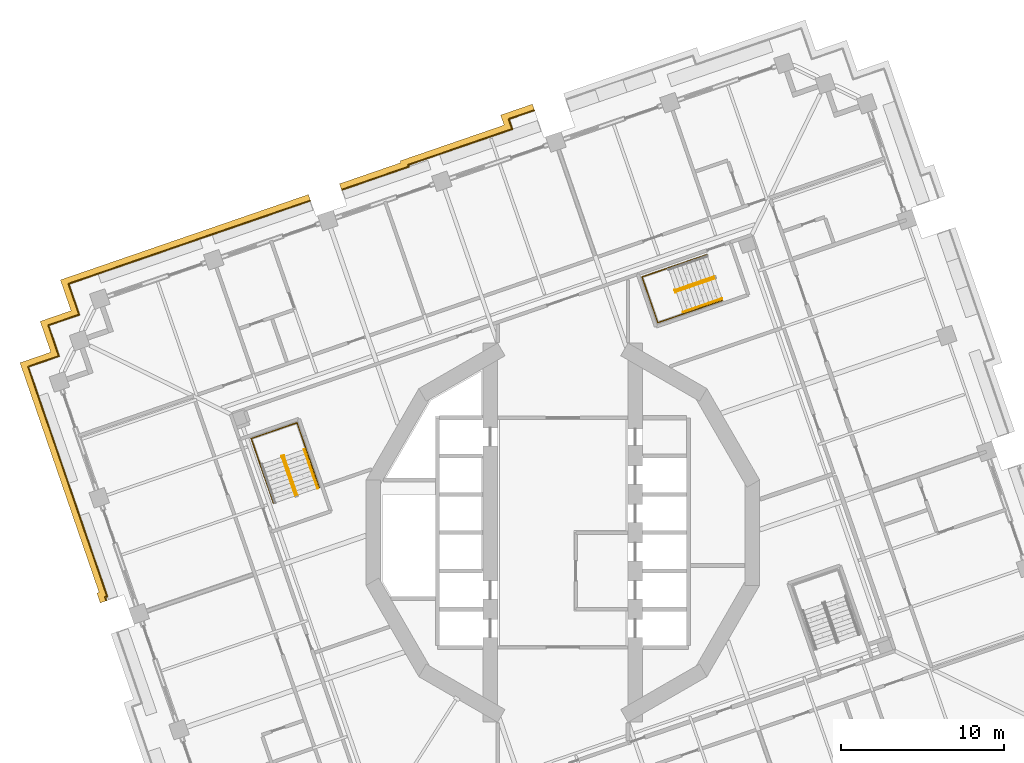
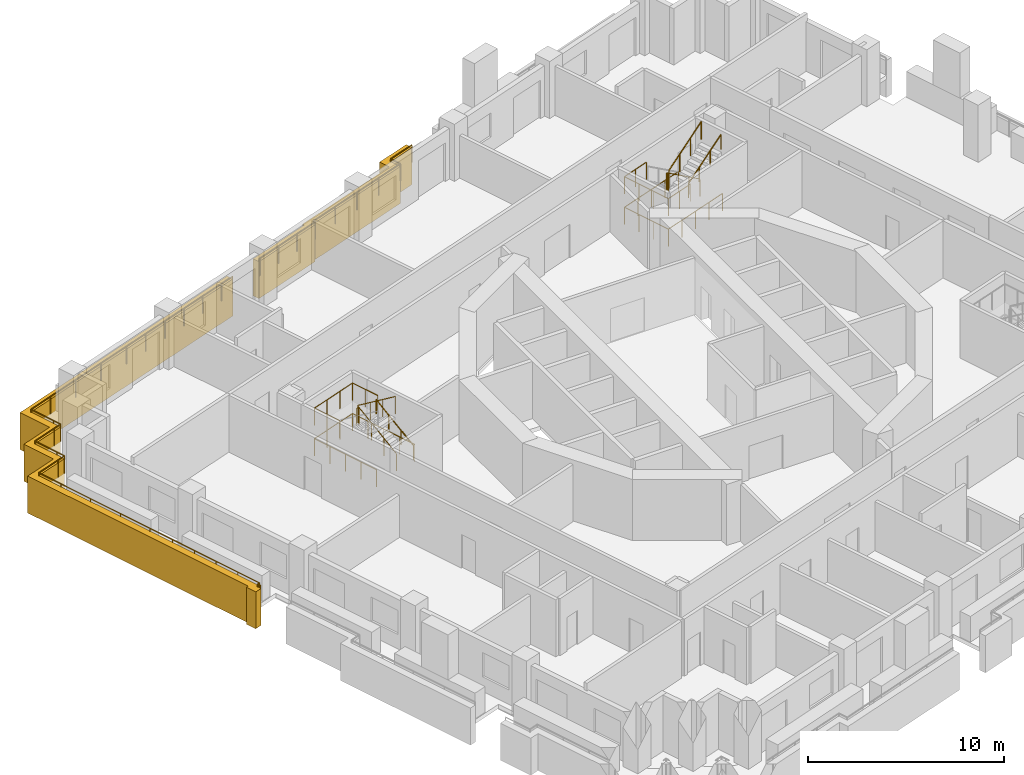
# One storey, part 16 of 19: 13 railings, 2 coverings.
"""IFC4 building model written with IfcOpenShell, lengths in metres."""

from ifc_helpers import new_model, si_unit, direction, frame, origin, origin_2d, place, context, subcontext, project, spatial, polyline, circle, outline, extrude, material, type_object, element, save


model = new_model("IFC4")

# Units and contexts
model_context = context("Model", 3, precision=1e-05, world=origin(), true_north=direction((0.0, 1.0)))
body_context = subcontext(model_context, "Body", "Model", "MODEL_VIEW")
ifc_project = project(units=[si_unit("LENGTHUNIT", "METRE"), si_unit("AREAUNIT", "SQUARE_METRE"), si_unit("VOLUMEUNIT", "CUBIC_METRE"), si_unit("PLANEANGLEUNIT", "RADIAN"), si_unit("MASSUNIT", "GRAM", prefix="KILO")], contexts=[model_context])

# Site, building, storey
site_placement = place(None, origin())
site = spatial("IfcSite", under=ifc_project, at=site_placement, CompositionType="ELEMENT")
building_placement = place(site_placement, origin())
building = spatial("IfcBuilding", under=site, at=building_placement, Name="Cantera Rosa Tower", CompositionType="ELEMENT")
storey_placement = place(building_placement, frame((0.0, 0.0, 123.10009765625)))
storey = spatial("IfcBuildingStorey", under=building, at=storey_placement, Name="L25", CompositionType="ELEMENT", Elevation=123.10009765625)

# Railings
ifc_material_1 = material(Name="Stainless steel and laminated glass", Category="steel")
railing_type_1 = type_object("IfcRailingType", Name="GUARD 1100", PredefinedType="BALUSTRADE", material=ifc_material_1)
railing_1_placement = place(storey_placement, frame((-29.6689453125, 13.369140625, 0.0)))
element("IfcRailing", 1, at=railing_1_placement, inside=storey, type_object=railing_type_1, Name="GUARD L25-7", PredefinedType="BALUSTRADE", context=body_context, shape_type="SweptSolid", body=[
    extrude(circle(Radius=0.030029296875, at=origin_2d()), frame((0.0, 0.0, 1.070068359375), z_axis=(-0.32573481536, 0.945461173218, 0.0), x_axis=(-0.945461173218, -0.32573481536, 0.0)), (0.0, 0.0, 1.0), 0.5),
    extrude(circle(Radius=0.030029296875, at=origin_2d()), frame((-0.162841796875, 0.47265625, 1.070068359375), z_axis=(-0.325489086777, 0.945545797087, 0.0), x_axis=(-0.945545797087, -0.325489086777, 0.0)), (0.0, 0.0, 1.0), 1.500244140625),
    extrude(circle(Radius=0.030029296875, at=origin_2d()), frame((-0.651123046875, 1.89111328125, 1.070068359375), z_axis=(0.945528551438, 0.325539181077, 0.0), x_axis=(-0.325539181077, 0.945528551438, 0.0)), (0.0, 0.0, 1.0), 1.5),
    extrude(circle(Radius=0.030029296875, at=origin_2d()), frame((0.76708984375, 2.37939453125, 1.070068359375), z_axis=(0.945517123015, 0.325572373037, 0.0), x_axis=(-0.325572373037, 0.945517123015, 0.0)), (0.0, 0.0, 1.0), 5.900146484375),
    extrude(circle(Radius=0.030029296875, at=origin_2d()), frame((6.345703125, 4.30029296875, 1.070068359375), z_axis=(0.945528551438, 0.325539181077, 0.0), x_axis=(-0.325539181077, 0.945528551438, 0.0)), (0.0, 0.0, 1.0), 2.999755859375),
    extrude(circle(Radius=0.030029296875, at=origin_2d()), frame((9.18212890625, 5.27685546875, 1.070068359375), z_axis=(0.945513227049, 0.325583687361, 0.0), x_axis=(-0.325583687361, 0.945513227049, 0.0)), (0.0, 0.0, 1.0), 4.400146484375),
    extrude(circle(Radius=0.030029296875, at=origin_2d()), frame((13.342529296875, 6.70947265625, 1.070068359375), z_axis=(0.945522007901, 0.325558186158, 0.0), x_axis=(-0.325558186158, 0.945522007901, 0.0)), (0.0, 0.0, 1.0), 0.869873046875),
    extrude(circle(Radius=0.02490234375, at=origin_2d()), origin(), (0.0, 0.0, 1.0), 1.0400390625),
    extrude(circle(Radius=0.02490234375, at=origin_2d()), frame((-0.162841796875, 0.47265625, 0.0)), (0.0, 0.0, 1.0), 1.0400390625),
    extrude(circle(Radius=0.02490234375, at=origin_2d()), frame((-0.651123046875, 1.89111328125, 0.0)), (0.0, 0.0, 1.0), 1.0400390625),
    extrude(circle(Radius=0.02490234375, at=origin_2d()), frame((0.76708984375, 2.37939453125, 0.0)), (0.0, 0.0, 1.0), 1.0400390625),
    extrude(circle(Radius=0.02490234375, at=origin_2d()), frame((2.626708984375, 3.019775390625, 0.0)), (0.0, 0.0, 1.0), 1.0400390625),
    extrude(circle(Radius=0.02490234375, at=origin_2d()), frame((4.486083984375, 3.659912109375, 0.0)), (0.0, 0.0, 1.0), 1.0400390625),
    extrude(circle(Radius=0.02490234375, at=origin_2d()), frame((6.345703125, 4.30029296875, 0.0)), (0.0, 0.0, 1.0), 1.0400390625),
    extrude(circle(Radius=0.02490234375, at=origin_2d()), frame((7.763916015625, 4.78857421875, 0.0)), (0.0, 0.0, 1.0), 1.0400390625),
    extrude(circle(Radius=0.02490234375, at=origin_2d()), frame((9.18212890625, 5.27685546875, 0.0)), (0.0, 0.0, 1.0), 1.0400390625),
    extrude(circle(Radius=0.02490234375, at=origin_2d()), frame((10.56884765625, 5.75439453125, 0.0)), (0.0, 0.0, 1.0), 1.0400390625),
    extrude(circle(Radius=0.02490234375, at=origin_2d()), frame((11.955810546875, 6.23193359375, 0.0)), (0.0, 0.0, 1.0), 1.0400390625),
    extrude(circle(Radius=0.02490234375, at=origin_2d()), frame((13.342529296875, 6.70947265625, 0.0)), (0.0, 0.0, 1.0), 1.0400390625),
    extrude(circle(Radius=0.02490234375, at=origin_2d()), frame((14.1650390625, 6.99267578125, 0.0)), (0.0, 0.0, 1.0), 1.0400390625),
])
railing_2_placement = place(storey_placement, frame((-28.011474609375, -4.156005859375, 0.0)))
element("IfcRailing", 2, at=railing_2_placement, inside=storey, type_object=railing_type_1, Name="GUARD L25-8", PredefinedType="BALUSTRADE", context=body_context, shape_type="SweptSolid", body=[
    extrude(circle(Radius=0.030029296875, at=origin_2d()), frame((0.0, 0.0, 1.070068359375), z_axis=(-0.325701817188, 0.945472541262, 0.0), x_axis=(-0.945472541262, -0.325701817188, 0.0)), (0.0, 0.0, 1.0), 0.20849609375),
    extrude(circle(Radius=0.030029296875, at=origin_2d()), frame((-0.06787109375, 0.197021484375, 1.070068359375), z_axis=(0.945279234775, 0.32626242245, 0.0), x_axis=(-0.32626242245, 0.945279234775, 0.0)), (0.0, 0.0, 1.0), 0.138427734375),
    extrude(circle(Radius=0.030029296875, at=origin_2d()), frame((0.06298828125, 0.2421875, 1.070068359375), z_axis=(-0.325573371497, 0.945516779212, 0.0), x_axis=(-0.945516779212, -0.325573371497, 0.0)), (0.0, 0.0, 1.0), 4.381591796875),
    extrude(circle(Radius=0.030029296875, at=origin_2d()), frame((-1.363525390625, 4.385009765625, 1.070068359375), z_axis=(-0.325539181077, 0.945528551438, 0.0), x_axis=(-0.945528551438, -0.325539181077, 0.0)), (0.0, 0.0, 1.0), 2.999755859375),
    extrude(circle(Radius=0.030029296875, at=origin_2d()), frame((-2.340087890625, 7.221435546875, 1.070068359375), z_axis=(-0.325568215952, 0.945518554425, 0.0), x_axis=(-0.945518554425, -0.325568215952, 0.0)), (0.0, 0.0, 1.0), 6.02001953125),
    extrude(circle(Radius=0.030029296875, at=origin_2d()), frame((-4.300048828125, 12.91357421875, 1.070068359375), z_axis=(-0.325539181077, 0.945528551438, 0.0), x_axis=(-0.945528551438, -0.325539181077, 0.0)), (0.0, 0.0, 1.0), 1.5),
    extrude(circle(Radius=0.030029296875, at=origin_2d()), frame((-4.788330078125, 14.331787109375, 1.070068359375), z_axis=(0.945528551438, 0.325539181077, 0.0), x_axis=(-0.325539181077, 0.945528551438, 0.0)), (0.0, 0.0, 1.0), 1.5),
    extrude(circle(Radius=0.030029296875, at=origin_2d()), frame((-3.3701171875, 14.820068359375, 1.070068359375), z_axis=(0.945461173218, 0.32573481536, 0.0), x_axis=(-0.32573481536, 0.945461173218, 0.0)), (0.0, 0.0, 1.0), 0.5),
    extrude(circle(Radius=0.030029296875, at=origin_2d()), frame((-2.8974609375, 14.98291015625, 1.070068359375), z_axis=(-0.325147989177, 0.945663145699, 0.0), x_axis=(-0.945663145699, -0.325147989177, 0.0)), (0.0, 0.0, 1.0), 0.5),
    extrude(circle(Radius=0.030029296875, at=origin_2d()), frame((-3.06005859375, 15.455810546875, 1.070068359375), z_axis=(-0.325684689469, 0.945478441343, 0.0), x_axis=(-0.945478441343, -0.325684689469, 0.0)), (0.0, 0.0, 1.0), 1.5),
    extrude(circle(Radius=0.030029296875, at=origin_2d()), frame((-3.548583984375, 16.8740234375, 1.070068359375), z_axis=(0.945545797087, 0.325489086777, 0.0), x_axis=(-0.325489086777, 0.945545797087, 0.0)), (0.0, 0.0, 1.0), 1.500244140625),
    extrude(circle(Radius=0.030029296875, at=origin_2d()), frame((-2.130126953125, 17.3623046875, 1.070068359375), z_axis=(0.945461173218, 0.32573481536, 0.0), x_axis=(-0.32573481536, 0.945461173218, 0.0)), (0.0, 0.0, 1.0), 0.5),
    extrude(circle(Radius=0.02490234375, at=origin_2d()), origin(), (0.0, 0.0, 1.0), 1.0400390625),
    extrude(circle(Radius=0.02490234375, at=origin_2d()), frame((-0.06787109375, 0.197021484375, 0.0)), (0.0, 0.0, 1.0), 1.0400390625),
    extrude(circle(Radius=0.02490234375, at=origin_2d()), frame((0.06298828125, 0.2421875, 0.0)), (0.0, 0.0, 1.0), 1.0400390625),
    extrude(circle(Radius=0.02490234375, at=origin_2d()), frame((-0.41259765625, 1.623046875, 0.0)), (0.0, 0.0, 1.0), 1.0400390625),
    extrude(circle(Radius=0.02490234375, at=origin_2d()), frame((-0.887939453125, 3.004150390625, 0.0)), (0.0, 0.0, 1.0), 1.0400390625),
    extrude(circle(Radius=0.02490234375, at=origin_2d()), frame((-1.363525390625, 4.385009765625, 0.0)), (0.0, 0.0, 1.0), 1.0400390625),
    extrude(circle(Radius=0.02490234375, at=origin_2d()), frame((-1.851806640625, 5.80322265625, 0.0)), (0.0, 0.0, 1.0), 1.0400390625),
    extrude(circle(Radius=0.02490234375, at=origin_2d()), frame((-2.340087890625, 7.221435546875, 0.0)), (0.0, 0.0, 1.0), 1.0400390625),
    extrude(circle(Radius=0.02490234375, at=origin_2d()), frame((-2.993408203125, 9.118896484375, 0.0)), (0.0, 0.0, 1.0), 1.0400390625),
    extrude(circle(Radius=0.02490234375, at=origin_2d()), frame((-3.646728515625, 11.01611328125, 0.0)), (0.0, 0.0, 1.0), 1.0400390625),
    extrude(circle(Radius=0.02490234375, at=origin_2d()), frame((-4.300048828125, 12.91357421875, 0.0)), (0.0, 0.0, 1.0), 1.0400390625),
    extrude(circle(Radius=0.02490234375, at=origin_2d()), frame((-4.788330078125, 14.331787109375, 0.0)), (0.0, 0.0, 1.0), 1.0400390625),
    extrude(circle(Radius=0.02490234375, at=origin_2d()), frame((-3.3701171875, 14.820068359375, 0.0)), (0.0, 0.0, 1.0), 1.0400390625),
    extrude(circle(Radius=0.02490234375, at=origin_2d()), frame((-2.8974609375, 14.98291015625, 0.0)), (0.0, 0.0, 1.0), 1.0400390625),
    extrude(circle(Radius=0.02490234375, at=origin_2d()), frame((-3.06005859375, 15.455810546875, 0.0)), (0.0, 0.0, 1.0), 1.0400390625),
    extrude(circle(Radius=0.02490234375, at=origin_2d()), frame((-3.548583984375, 16.8740234375, 0.0)), (0.0, 0.0, 1.0), 1.0400390625),
    extrude(circle(Radius=0.02490234375, at=origin_2d()), frame((-2.130126953125, 17.3623046875, 0.0)), (0.0, 0.0, 1.0), 1.0400390625),
    extrude(circle(Radius=0.02490234375, at=origin_2d()), frame((-1.657470703125, 17.525146484375, 0.0)), (0.0, 0.0, 1.0), 1.0400390625),
])
railing_3_placement = place(storey_placement, frame((-13.55615234375, 21.032470703125, 0.0)))
element("IfcRailing", 3, at=railing_3_placement, inside=storey, type_object=railing_type_1, Name="GUARD L25-9", PredefinedType="BALUSTRADE", context=body_context, shape_type="SweptSolid", body=[
    extrude(circle(Radius=0.030029296875, at=origin_2d()), frame((0.0, 0.0, 1.070068359375), z_axis=(0.946220044844, 0.323523765333, 0.0), x_axis=(-0.323523765333, 0.946220044844, 0.0)), (0.0, 0.0, 1.0), 0.070068359375),
    extrude(circle(Radius=0.030029296875, at=origin_2d()), frame((0.06640625, 0.022705078125, 1.070068359375), z_axis=(0.945512264962, 0.325586481301, 0.0), x_axis=(-0.325586481301, 0.945512264962, 0.0)), (0.0, 0.0, 1.0), 4.28173828125),
    extrude(circle(Radius=0.030029296875, at=origin_2d()), frame((4.11474609375, 1.416748046875, 1.070068359375), z_axis=(-0.326117900523, 0.945329104047, 0.0), x_axis=(-0.945329104047, -0.326117900523, 0.0)), (0.0, 0.0, 1.0), 0.1181640625),
    extrude(circle(Radius=0.030029296875, at=origin_2d()), frame((4.076171875, 1.528564453125, 1.070068359375), z_axis=(0.945519334272, 0.325565951103, 0.0), x_axis=(-0.325565951103, 0.945519334272, 0.0)), (0.0, 0.0, 1.0), 6.749755859375),
    extrude(circle(Radius=0.030029296875, at=origin_2d()), frame((10.458251953125, 3.72607421875, 1.070068359375), z_axis=(-0.32578247151, 0.945444753149, 0.0), x_axis=(-0.945444753149, -0.32578247151, 0.0)), (0.0, 0.0, 1.0), 0.650390625),
    extrude(circle(Radius=0.030029296875, at=origin_2d()), frame((10.246337890625, 4.341064453125, 1.070068359375), z_axis=(0.945523301181, 0.325554430047, 0.0), x_axis=(-0.325554430047, 0.945523301181, 0.0)), (0.0, 0.0, 1.0), 1.638671875),
    extrude(circle(Radius=0.02490234375, at=origin_2d()), origin(), (0.0, 0.0, 1.0), 1.0400390625),
    extrude(circle(Radius=0.02490234375, at=origin_2d()), frame((0.06640625, 0.022705078125, 0.0)), (0.0, 0.0, 1.0), 1.0400390625),
    extrude(circle(Radius=0.02490234375, at=origin_2d()), frame((1.415771484375, 0.4873046875, 0.0)), (0.0, 0.0, 1.0), 1.0400390625),
    extrude(circle(Radius=0.02490234375, at=origin_2d()), frame((2.765380859375, 0.9521484375, 0.0)), (0.0, 0.0, 1.0), 1.0400390625),
    extrude(circle(Radius=0.02490234375, at=origin_2d()), frame((4.11474609375, 1.416748046875, 0.0)), (0.0, 0.0, 1.0), 1.0400390625),
    extrude(circle(Radius=0.02490234375, at=origin_2d()), frame((4.076171875, 1.528564453125, 0.0)), (0.0, 0.0, 1.0), 1.0400390625),
    extrude(circle(Radius=0.02490234375, at=origin_2d()), frame((5.671630859375, 2.077880859375, 0.0)), (0.0, 0.0, 1.0), 1.0400390625),
    extrude(circle(Radius=0.02490234375, at=origin_2d()), frame((7.26708984375, 2.62744140625, 0.0)), (0.0, 0.0, 1.0), 1.0400390625),
    extrude(circle(Radius=0.02490234375, at=origin_2d()), frame((8.86279296875, 3.1767578125, 0.0)), (0.0, 0.0, 1.0), 1.0400390625),
    extrude(circle(Radius=0.02490234375, at=origin_2d()), frame((10.458251953125, 3.72607421875, 0.0)), (0.0, 0.0, 1.0), 1.0400390625),
    extrude(circle(Radius=0.02490234375, at=origin_2d()), frame((10.246337890625, 4.341064453125, 0.0)), (0.0, 0.0, 1.0), 1.0400390625),
    extrude(circle(Radius=0.02490234375, at=origin_2d()), frame((11.795654296875, 4.87451171875, 0.0)), (0.0, 0.0, 1.0), 1.0400390625),
])
ifc_material_2 = material(Name="Steel S355J2 (EN 10025-2)", Category="steel")
railing_type_2 = type_object("IfcRailingType", Name="STAIR GUARD 1100", PredefinedType="GUARDRAIL", material=ifc_material_2)
railing_4_placement = place(storey_placement, frame((9.307861328125, 15.7021484375, 0.18994140625)))
element("IfcRailing", 4, at=railing_4_placement, inside=storey, type_object=railing_type_2, Name="L25 ST-21 stair guard 1", PredefinedType="GUARDRAIL", context=body_context, shape_type="SweptSolid", body=[
    extrude(circle(Radius=0.02392578125, at=origin_2d()), frame((0.0, 0.0, 1.076171875), z_axis=(-0.782404165978, -0.269432418223, 0.561471186323), x_axis=(0.325599548996, -0.94550776501, 0.0)), (0.0, 0.0, 1.0), 3.04541015625),
    extrude(circle(Radius=0.02392578125, at=origin_2d()), frame((-2.3828125, -0.820556640625, 2.7861328125), z_axis=(-0.989063265047, 0.147491890402, 0.0), x_axis=(-0.147491890402, -0.989063265047, 0.0)), (0.0, 0.0, 1.0), 0.056396484375),
    extrude(circle(Radius=0.02392578125, at=origin_2d()), frame((-2.4384765625, -0.812255859375, 2.7861328125), z_axis=(0.325990683319, -0.945372981626, 0.0), x_axis=(0.945372981626, 0.325990683319, 0.0)), (0.0, 0.0, 1.0), 0.14990234375),
    extrude(circle(Radius=0.02099609375, at=origin_2d()), origin(), (0.0, 0.0, 1.0), 1.052001953125),
    extrude(circle(Radius=0.02099609375, at=origin_2d()), frame((-0.794189453125, -0.2734375, 0.570068359375)), (0.0, 0.0, 1.0), 1.052001953125),
    extrude(circle(Radius=0.02099609375, at=origin_2d()), frame((-1.588623046875, -0.547119140625, 1.139892578125)), (0.0, 0.0, 1.0), 1.052001953125),
    extrude(circle(Radius=0.02099609375, at=origin_2d()), frame((-2.3828125, -0.820556640625, 1.7099609375)), (0.0, 0.0, 1.0), 1.052001953125),
    extrude(circle(Radius=0.02099609375, at=origin_2d()), frame((-2.4384765625, -0.812255859375, 1.7099609375)), (0.0, 0.0, 1.0), 1.052001953125),
    extrude(circle(Radius=0.02099609375, at=origin_2d()), frame((-2.3896484375, -0.953857421875, 1.7099609375)), (0.0, 0.0, 1.0), 1.052001953125),
])
railing_5_placement = place(storey_placement, frame((6.95703125, 14.7890625, 2.08984375)))
element("IfcRailing", 5, at=railing_5_placement, inside=storey, type_object=railing_type_2, Name="L25 ST-21 stair guard 2", PredefinedType="GUARDRAIL", context=body_context, shape_type="SweptSolid", body=[
    extrude(circle(Radius=0.02392578125, at=origin_2d()), frame((0.0, 0.0, 1.076171875), z_axis=(0.782389970342, 0.269374966733, 0.561518531845), x_axis=(-0.325542759796, 0.945527319301, 0.0)), (0.0, 0.0, 1.0), 3.045166015625),
    extrude(circle(Radius=0.02099609375, at=origin_2d()), origin(), (0.0, 0.0, 1.0), 1.052001953125),
    extrude(circle(Radius=0.02099609375, at=origin_2d()), frame((0.794189453125, 0.2734375, 0.570068359375)), (0.0, 0.0, 1.0), 1.052001953125),
    extrude(circle(Radius=0.02099609375, at=origin_2d()), frame((1.58837890625, 0.546875, 1.139892578125)), (0.0, 0.0, 1.0), 1.052001953125),
    extrude(circle(Radius=0.02099609375, at=origin_2d()), frame((2.382568359375, 0.8203125, 1.7099609375)), (0.0, 0.0, 1.0), 1.052001953125),
])
railing_6_placement = place(storey_placement, frame((8.828857421875, 17.055908203125, 0.0)))
element("IfcRailing", 6, at=railing_6_placement, inside=storey, type_object=railing_type_2, Name="L25 ST-21 stair guard 4", PredefinedType="GUARDRAIL", context=body_context, shape_type="SweptSolid", body=[
    extrude(circle(Radius=0.02392578125, at=origin_2d()), frame((0.0, 0.0, 1.076171875), z_axis=(-0.945519978022, -0.325564081496, 0.0), x_axis=(0.325564081496, -0.945519978022, 0.0)), (0.0, 0.0, 1.0), 4.197998046875),
    extrude(circle(Radius=0.02392578125, at=origin_2d()), frame((-3.96923828125, -1.36669921875, 1.076171875), z_axis=(0.325608117645, -0.945504814226, 0.0), x_axis=(0.945504814226, 0.325608117645, 0.0)), (0.0, 0.0, 1.0), 2.969970703125),
    extrude(circle(Radius=0.02392578125, at=origin_2d()), frame((-3.002197265625, -4.1748046875, 1.076171875), z_axis=(0.945519978022, 0.325564081496, 0.0), x_axis=(-0.325564081496, 0.945519978022, 0.0)), (0.0, 0.0, 1.0), 4.197998046875),
    extrude(circle(Radius=0.02099609375, at=origin_2d()), origin(), (0.0, 0.0, 1.0), 1.052001953125),
    extrude(circle(Radius=0.02099609375, at=origin_2d()), frame((-0.9921875, -0.341796875, 0.0)), (0.0, 0.0, 1.0), 1.052001953125),
    extrude(circle(Radius=0.02099609375, at=origin_2d()), frame((-1.984619140625, -0.683349609375, 0.0)), (0.0, 0.0, 1.0), 1.052001953125),
    extrude(circle(Radius=0.02099609375, at=origin_2d()), frame((-2.97705078125, -1.02490234375, 0.0)), (0.0, 0.0, 1.0), 1.052001953125),
    extrude(circle(Radius=0.02099609375, at=origin_2d()), frame((-3.96923828125, -1.36669921875, 0.0)), (0.0, 0.0, 1.0), 1.052001953125),
    extrude(circle(Radius=0.02099609375, at=origin_2d()), frame((-3.64697265625, -2.302734375, 0.0)), (0.0, 0.0, 1.0), 1.052001953125),
    extrude(circle(Radius=0.02099609375, at=origin_2d()), frame((-3.324462890625, -3.23876953125, 0.0)), (0.0, 0.0, 1.0), 1.052001953125),
    extrude(circle(Radius=0.02099609375, at=origin_2d()), frame((-3.002197265625, -4.1748046875, 0.0)), (0.0, 0.0, 1.0), 1.052001953125),
    extrude(circle(Radius=0.02099609375, at=origin_2d()), frame((-2.009765625, -3.8330078125, 0.0)), (0.0, 0.0, 1.0), 1.052001953125),
    extrude(circle(Radius=0.02099609375, at=origin_2d()), frame((-1.017578125, -3.491455078125, 0.0)), (0.0, 0.0, 1.0), 1.052001953125),
    extrude(circle(Radius=0.02099609375, at=origin_2d()), frame((-0.025390625, -3.14990234375, 0.0)), (0.0, 0.0, 1.0), 1.052001953125),
    extrude(circle(Radius=0.02099609375, at=origin_2d()), frame((0.967041015625, -2.80810546875, 0.0)), (0.0, 0.0, 1.0), 1.052001953125),
])
railing_7_placement = place(storey_placement, frame((6.468994140625, 16.243408203125, 1.89990234375)))
element("IfcRailing", 7, at=railing_7_placement, inside=storey, type_object=railing_type_2, Name="L25 ST-21 stair guard 5", PredefinedType="GUARDRAIL", context=body_context, shape_type="SweptSolid", body=[
    extrude(circle(Radius=0.02392578125, at=origin_2d()), frame((0.0, 0.0, 1.076171875), z_axis=(-0.94551008141, -0.32559282233, 0.0), x_axis=(0.32559282233, -0.94551008141, 0.0)), (0.0, 0.0, 1.0), 1.7021484375),
    extrude(circle(Radius=0.02392578125, at=origin_2d()), frame((-1.609375, -0.55419921875, 1.076171875), z_axis=(0.325608117645, -0.945504814226, 0.0), x_axis=(0.945504814226, 0.325608117645, 0.0)), (0.0, 0.0, 1.0), 2.969970703125),
    extrude(circle(Radius=0.02392578125, at=origin_2d()), frame((-0.642333984375, -3.3623046875, 1.076171875), z_axis=(0.945539033546, 0.325508734201, 0.0), x_axis=(-0.325508734201, 0.945539033546, 0.0)), (0.0, 0.0, 1.0), 1.701904296875),
    extrude(circle(Radius=0.02099609375, at=origin_2d()), origin(), (0.0, 0.0, 1.0), 1.052001953125),
    extrude(circle(Radius=0.02099609375, at=origin_2d()), frame((-0.8046875, -0.277099609375, 0.0)), (0.0, 0.0, 1.0), 1.052001953125),
    extrude(circle(Radius=0.02099609375, at=origin_2d()), frame((-1.609375, -0.55419921875, 0.0)), (0.0, 0.0, 1.0), 1.052001953125),
    extrude(circle(Radius=0.02099609375, at=origin_2d()), frame((-1.287109375, -1.490234375, 0.0)), (0.0, 0.0, 1.0), 1.052001953125),
    extrude(circle(Radius=0.02099609375, at=origin_2d()), frame((-0.964599609375, -2.42626953125, 0.0)), (0.0, 0.0, 1.0), 1.052001953125),
    extrude(circle(Radius=0.02099609375, at=origin_2d()), frame((-0.642333984375, -3.3623046875, 0.0)), (0.0, 0.0, 1.0), 1.052001953125),
    extrude(circle(Radius=0.02099609375, at=origin_2d()), frame((0.162109375, -3.08544921875, 0.0)), (0.0, 0.0, 1.0), 1.052001953125),
    extrude(circle(Radius=0.02099609375, at=origin_2d()), frame((0.966796875, -2.808349609375, 0.0)), (0.0, 0.0, 1.0), 1.052001953125),
])
railing_8_placement = place(storey_placement, frame((-16.2978515625, 2.292236328125, 0.18994140625)))
element("IfcRailing", 8, at=railing_8_placement, inside=storey, type_object=railing_type_2, Name="L25 ST-22 stair guard 1", PredefinedType="GUARDRAIL", context=body_context, shape_type="SweptSolid", body=[
    extrude(circle(Radius=0.02392578125, at=origin_2d()), frame((0.0, 0.0, 1.076171875), z_axis=(-0.269432418223, 0.782404165978, 0.561471186323), x_axis=(-0.94550776501, -0.325599548996, 0.0)), (0.0, 0.0, 1.0), 3.04541015625),
    extrude(circle(Radius=0.02392578125, at=origin_2d()), frame((-0.820556640625, 2.3828125, 2.7861328125), z_axis=(0.147491890402, 0.989063265047, 0.0), x_axis=(-0.989063265047, 0.147491890402, 0.0)), (0.0, 0.0, 1.0), 0.056396484375),
    extrude(circle(Radius=0.02392578125, at=origin_2d()), frame((-0.812255859375, 2.4384765625, 2.7861328125), z_axis=(-0.945372981626, -0.325990683319, 0.0), x_axis=(0.325990683319, -0.945372981626, 0.0)), (0.0, 0.0, 1.0), 0.14990234375),
    extrude(circle(Radius=0.02099609375, at=origin_2d()), origin(), (0.0, 0.0, 1.0), 1.052001953125),
    extrude(circle(Radius=0.02099609375, at=origin_2d()), frame((-0.2734375, 0.794189453125, 0.570068359375)), (0.0, 0.0, 1.0), 1.052001953125),
    extrude(circle(Radius=0.02099609375, at=origin_2d()), frame((-0.547119140625, 1.588623046875, 1.139892578125)), (0.0, 0.0, 1.0), 1.052001953125),
    extrude(circle(Radius=0.02099609375, at=origin_2d()), frame((-0.820556640625, 2.3828125, 1.7099609375)), (0.0, 0.0, 1.0), 1.052001953125),
    extrude(circle(Radius=0.02099609375, at=origin_2d()), frame((-0.812255859375, 2.4384765625, 1.7099609375)), (0.0, 0.0, 1.0), 1.052001953125),
    extrude(circle(Radius=0.02099609375, at=origin_2d()), frame((-0.953857421875, 2.3896484375, 1.7099609375)), (0.0, 0.0, 1.0), 1.052001953125),
])
railing_9_placement = place(storey_placement, frame((-17.2109375, 4.64306640625, 2.08984375)))
element("IfcRailing", 9, at=railing_9_placement, inside=storey, type_object=railing_type_2, Name="L25 ST-22 stair guard 2", PredefinedType="GUARDRAIL", context=body_context, shape_type="SweptSolid", body=[
    extrude(circle(Radius=0.02392578125, at=origin_2d()), frame((0.0, 0.0, 1.076171875), z_axis=(0.269358070891, -0.782421063063, 0.561483312059), x_axis=(0.945537585866, 0.325512939397, 0.0)), (0.0, 0.0, 1.0), 3.04541015625),
    extrude(circle(Radius=0.02099609375, at=origin_2d()), origin(), (0.0, 0.0, 1.0), 1.052001953125),
    extrude(circle(Radius=0.02099609375, at=origin_2d()), frame((0.2734375, -0.794189453125, 0.570068359375)), (0.0, 0.0, 1.0), 1.052001953125),
    extrude(circle(Radius=0.02099609375, at=origin_2d()), frame((0.546875, -1.588623046875, 1.139892578125)), (0.0, 0.0, 1.0), 1.052001953125),
    extrude(circle(Radius=0.02099609375, at=origin_2d()), frame((0.8203125, -2.3828125, 1.7099609375)), (0.0, 0.0, 1.0), 1.052001953125),
])
railing_10_placement = place(storey_placement, frame((-14.944091796875, 2.77099609375, 0.0)))
element("IfcRailing", 10, at=railing_10_placement, inside=storey, type_object=railing_type_2, Name="L25 ST-22 stair guard 4", PredefinedType="GUARDRAIL", context=body_context, shape_type="SweptSolid", body=[
    extrude(circle(Radius=0.02392578125, at=origin_2d()), frame((0.0, 0.0, 1.076171875), z_axis=(-0.325546180042, 0.945526141712, 0.0), x_axis=(-0.945526141712, -0.325546180042, 0.0)), (0.0, 0.0, 1.0), 4.1982421875),
    extrude(circle(Radius=0.02392578125, at=origin_2d()), frame((-1.36669921875, 3.969482421875, 1.076171875), z_axis=(-0.945504814226, -0.325608117645, 0.0), x_axis=(0.325608117645, -0.945504814226, 0.0)), (0.0, 0.0, 1.0), 2.969970703125),
    extrude(circle(Radius=0.02392578125, at=origin_2d()), frame((-4.1748046875, 3.00244140625, 1.076171875), z_axis=(0.325564081496, -0.945519978022, 0.0), x_axis=(0.945519978022, 0.325564081496, 0.0)), (0.0, 0.0, 1.0), 4.197998046875),
    extrude(circle(Radius=0.02099609375, at=origin_2d()), origin(), (0.0, 0.0, 1.0), 1.052001953125),
    extrude(circle(Radius=0.02099609375, at=origin_2d()), frame((-0.341796875, 0.992431640625, 0.0)), (0.0, 0.0, 1.0), 1.052001953125),
    extrude(circle(Radius=0.02099609375, at=origin_2d()), frame((-0.683349609375, 1.98486328125, 0.0)), (0.0, 0.0, 1.0), 1.052001953125),
    extrude(circle(Radius=0.02099609375, at=origin_2d()), frame((-1.02490234375, 2.97705078125, 0.0)), (0.0, 0.0, 1.0), 1.052001953125),
    extrude(circle(Radius=0.02099609375, at=origin_2d()), frame((-1.36669921875, 3.969482421875, 0.0)), (0.0, 0.0, 1.0), 1.052001953125),
    extrude(circle(Radius=0.02099609375, at=origin_2d()), frame((-2.302734375, 3.647216796875, 0.0)), (0.0, 0.0, 1.0), 1.052001953125),
    extrude(circle(Radius=0.02099609375, at=origin_2d()), frame((-3.23876953125, 3.32470703125, 0.0)), (0.0, 0.0, 1.0), 1.052001953125),
    extrude(circle(Radius=0.02099609375, at=origin_2d()), frame((-4.1748046875, 3.00244140625, 0.0)), (0.0, 0.0, 1.0), 1.052001953125),
    extrude(circle(Radius=0.02099609375, at=origin_2d()), frame((-3.8330078125, 2.01025390625, 0.0)), (0.0, 0.0, 1.0), 1.052001953125),
    extrude(circle(Radius=0.02099609375, at=origin_2d()), frame((-3.491455078125, 1.017822265625, 0.0)), (0.0, 0.0, 1.0), 1.052001953125),
    extrude(circle(Radius=0.02099609375, at=origin_2d()), frame((-3.14990234375, 0.025390625, 0.0)), (0.0, 0.0, 1.0), 1.052001953125),
    extrude(circle(Radius=0.02099609375, at=origin_2d()), frame((-2.80810546875, -0.966796875, 0.0)), (0.0, 0.0, 1.0), 1.052001953125),
])
railing_11_placement = place(storey_placement, frame((-15.756591796875, 5.131103515625, 1.89990234375)))
element("IfcRailing", 11, at=railing_11_placement, inside=storey, type_object=railing_type_2, Name="L25 ST-22 stair guard 5", PredefinedType="GUARDRAIL", context=body_context, shape_type="SweptSolid", body=[
    extrude(circle(Radius=0.02392578125, at=origin_2d()), frame((0.0, 0.0, 1.076171875), z_axis=(-0.32559282233, 0.94551008141, 0.0), x_axis=(-0.94551008141, -0.32559282233, 0.0)), (0.0, 0.0, 1.0), 1.7021484375),
    extrude(circle(Radius=0.02392578125, at=origin_2d()), frame((-0.55419921875, 1.609375, 1.076171875), z_axis=(-0.945504814226, -0.325608117645, 0.0), x_axis=(0.325608117645, -0.945504814226, 0.0)), (0.0, 0.0, 1.0), 2.969970703125),
    extrude(circle(Radius=0.02392578125, at=origin_2d()), frame((-3.3623046875, 0.642333984375, 1.076171875), z_axis=(0.325464585813, -0.945554230799, 0.0), x_axis=(0.945554230799, 0.325464585813, 0.0)), (0.0, 0.0, 1.0), 1.7021484375),
    extrude(circle(Radius=0.02099609375, at=origin_2d()), origin(), (0.0, 0.0, 1.0), 1.052001953125),
    extrude(circle(Radius=0.02099609375, at=origin_2d()), frame((-0.277099609375, 0.8046875, 0.0)), (0.0, 0.0, 1.0), 1.052001953125),
    extrude(circle(Radius=0.02099609375, at=origin_2d()), frame((-0.55419921875, 1.609375, 0.0)), (0.0, 0.0, 1.0), 1.052001953125),
    extrude(circle(Radius=0.02099609375, at=origin_2d()), frame((-1.490234375, 1.287109375, 0.0)), (0.0, 0.0, 1.0), 1.052001953125),
    extrude(circle(Radius=0.02099609375, at=origin_2d()), frame((-2.42626953125, 0.964599609375, 0.0)), (0.0, 0.0, 1.0), 1.052001953125),
    extrude(circle(Radius=0.02099609375, at=origin_2d()), frame((-3.3623046875, 0.642333984375, 0.0)), (0.0, 0.0, 1.0), 1.052001953125),
    extrude(circle(Radius=0.02099609375, at=origin_2d()), frame((-3.08544921875, -0.162353515625, 0.0)), (0.0, 0.0, 1.0), 1.052001953125),
    extrude(circle(Radius=0.02099609375, at=origin_2d()), frame((-2.808349609375, -0.967041015625, 0.0)), (0.0, 0.0, 1.0), 1.052001953125),
])
ifc_material_3 = material(Name="Steel S355J2 (EN 10025-2)", Category="steel")
railing_type_3 = type_object("IfcRailingType", Name="STAIR HANDRAIL 900", PredefinedType="HANDRAIL", material=ifc_material_3)
railing_12_placement = place(storey_placement, frame((7.388671875, 13.53515625, 2.08984375)))
element("IfcRailing", 12, at=railing_12_placement, inside=storey, type_object=railing_type_3, Name="L25 ST-21 stair handrail 2", PredefinedType="HANDRAIL", context=body_context, shape_type="SweptSolid", body=[
    extrude(circle(Radius=0.02392578125, at=origin_2d()), frame((0.0, 0.0, 0.8759765625), z_axis=(0.782404165978, 0.269432418223, 0.561471186323), x_axis=(-0.325599548996, 0.94550776501, 0.0)), (0.0, 0.0, 1.0), 3.04541015625),
    extrude(circle(Radius=0.02099609375, at=origin_2d()), origin(), (0.0, 0.0, 1.0), 0.851806640625),
    extrude(circle(Radius=0.02099609375, at=origin_2d()), frame((0.794189453125, 0.2734375, 0.570068359375)), (0.0, 0.0, 1.0), 0.851806640625),
    extrude(circle(Radius=0.02099609375, at=origin_2d()), frame((1.588623046875, 0.547119140625, 1.139892578125)), (0.0, 0.0, 1.0), 0.851806640625),
    extrude(circle(Radius=0.02099609375, at=origin_2d()), frame((2.3828125, 0.820556640625, 1.7099609375)), (0.0, 0.0, 1.0), 0.851806640625),
])
railing_13_placement = place(storey_placement, frame((-15.044189453125, 2.723876953125, 0.18994140625)))
element("IfcRailing", 13, at=railing_13_placement, inside=storey, type_object=railing_type_3, Name="L25 ST-22 stair handrail 1", PredefinedType="HANDRAIL", context=body_context, shape_type="SweptSolid", body=[
    extrude(circle(Radius=0.02392578125, at=origin_2d()), frame((0.0, 0.0, 0.8759765625), z_axis=(-0.269358070891, 0.782421063063, 0.561483312059), x_axis=(-0.945537585866, -0.325512939397, 0.0)), (0.0, 0.0, 1.0), 3.04541015625),
    extrude(circle(Radius=0.02099609375, at=origin_2d()), origin(), (0.0, 0.0, 1.0), 0.851806640625),
    extrude(circle(Radius=0.02099609375, at=origin_2d()), frame((-0.2734375, 0.794189453125, 0.570068359375)), (0.0, 0.0, 1.0), 0.851806640625),
    extrude(circle(Radius=0.02099609375, at=origin_2d()), frame((-0.546875, 1.588623046875, 1.139892578125)), (0.0, 0.0, 1.0), 0.851806640625),
    extrude(circle(Radius=0.02099609375, at=origin_2d()), frame((-0.8203125, 2.3828125, 1.7099609375)), (0.0, 0.0, 1.0), 0.851806640625),
])

# Coverings
ifc_material_4 = material(Name="Cantera stone", Category="masonry")
covering_type = type_object("IfcCoveringType", Name="TRAY FASCIA 400", PredefinedType="CLADDING", material=ifc_material_4)
covering_1_placement = place(storey_placement, frame((0.0, 0.0, -1.400146484375)))
element("IfcCovering", 14, at=covering_1_placement, inside=storey, type_object=covering_type, Name="TRAY FASCIA L25-01", PredefinedType="CLADDING", context=body_context, shape_type="SweptSolid", body=[
    extrude(outline(polyline([(-30.729736328125, 2.935302734375), (-32.689697265625, 8.627197265625), (-33.308349609375, 10.423828125), (-31.511962890625, 11.042236328125), (-31.417236328125, 11.074951171875), (-31.449951171875, 11.16943359375), (-32.068359375, 12.966064453125), (-30.27197265625, 13.58447265625), (-30.177490234375, 13.6171875), (-30.2099609375, 13.711669921875), (-30.82861328125, 15.508056640625), (-29.031982421875, 16.126708984375), (-23.453369140625, 18.047607421875), (-20.616943359375, 19.024169921875), (-16.45654296875, 20.456787109375), (-15.615234375, 20.74658203125), (-15.48486328125, 20.368408203125), (-16.326416015625, 20.07861328125), (-20.48681640625, 18.64599609375), (-23.3232421875, 17.66943359375), (-28.90185546875, 15.74853515625), (-30.320068359375, 15.26025390625), (-29.831787109375, 13.841796875), (-29.6689453125, 13.369140625), (-30.1416015625, 13.206298828125), (-31.56005859375, 12.718017578125), (-31.071533203125, 11.2998046875), (-30.908935546875, 10.826904296875), (-31.381591796875, 10.6640625), (-32.7998046875, 10.17578125), (-32.3115234375, 8.757568359375), (-30.3515625, 3.0654296875), (-29.375, 0.22900390625), (-27.948486328125, -3.913818359375), (-28.079345703125, -3.958984375), (-28.0048828125, -4.175048828125), (-28.383056640625, -4.30517578125), (-28.587890625, -3.7109375), (-28.456787109375, -3.666015625), (-29.753173828125, 0.0986328125), (-30.729736328125, 2.935302734375)])), origin(), (0.0, 0.0, 1.0), 2.300048828125),
])
covering_2_placement = place(storey_placement, frame((0.0, 0.0, -1.400146484375)))
element("IfcCovering", 15, at=covering_2_placement, inside=storey, type_object=covering_type, Name="TRAY FASCIA L25-04", PredefinedType="CLADDING", context=body_context, shape_type="SweptSolid", body=[
    extrude(outline(polyline([(-13.6201171875, 21.433349609375), (-9.94970703125, 22.697265625), (-9.98828125, 22.80908203125), (-3.6064453125, 25.006591796875), (-3.818115234375, 25.621337890625), (-1.871826171875, 26.291748046875), (-1.741455078125, 25.91357421875), (-3.309814453125, 25.37353515625), (-3.097900390625, 24.758544921875), (-9.47998046875, 22.56103515625), (-9.44140625, 22.44921875), (-13.48974609375, 21.05517578125), (-13.574951171875, 21.02587890625), (-13.705078125, 21.404052734375), (-13.6201171875, 21.433349609375)])), origin(), (0.0, 0.0, 1.0), 2.300048828125),
])

save(model, "model.ifc")
